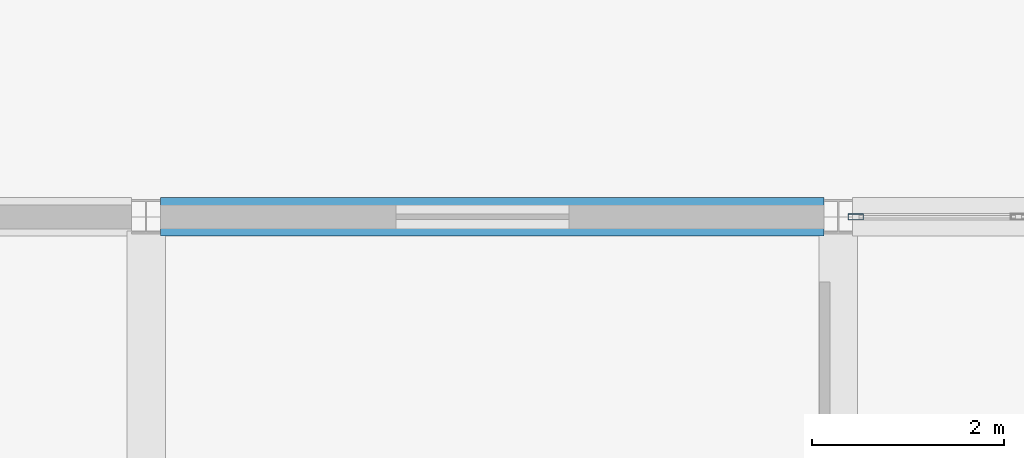
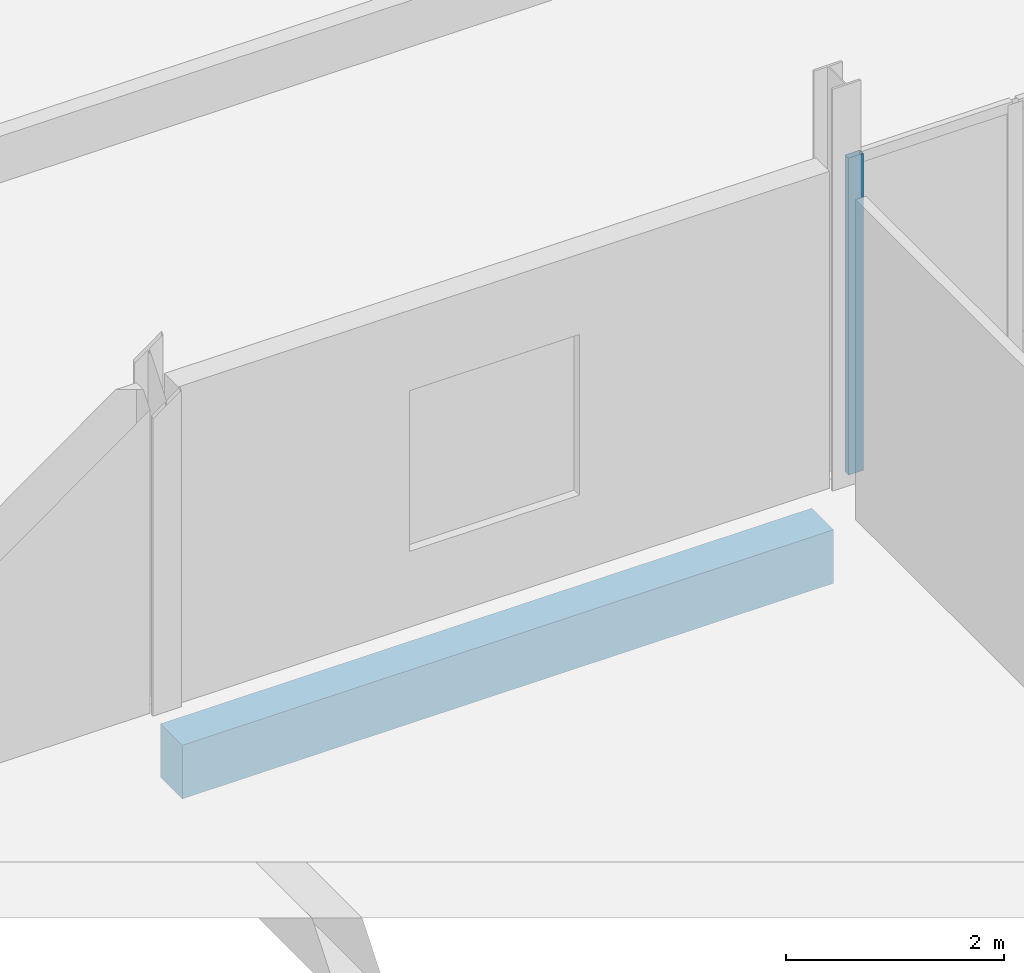
# One storey, part 88 of 139: 1 beam, 1 member, 1 element without a shape of its own.
"""IFC4 building model written with IfcOpenShell, lengths in metres."""

from ifc_helpers import new_model, si_unit, direction, frame, origin, origin_2d, place, context, subcontext, project, spatial, rectangle, hollow_rectangle, extrude, material, material_profile, profile_set, type_object, element, aggregate, save


model = new_model("IFC4")

# Units and contexts
model_context = context("Model", 3, precision=1e-05, world=origin(), true_north=direction((0.0, 1.0)))
body_context = subcontext(model_context, "Body", "Model", "MODEL_VIEW")
ifc_project = project(units=[si_unit("LENGTHUNIT", "METRE"), si_unit("AREAUNIT", "SQUARE_METRE"), si_unit("VOLUMEUNIT", "CUBIC_METRE"), si_unit("PLANEANGLEUNIT", "RADIAN"), si_unit("MASSUNIT", "GRAM", prefix="KILO")], contexts=[model_context])

# Site, building, storey
site_placement = place(None, origin())
site = spatial("IfcSite", under=ifc_project, at=site_placement, CompositionType="ELEMENT")
building_placement = place(site_placement, origin())
building = spatial("IfcBuilding", under=site, at=building_placement, Name="Suanplinth Sawtooth Commons", CompositionType="ELEMENT")
storey_placement = place(building_placement, origin())
storey = spatial("IfcBuildingStorey", under=building, at=storey_placement, Name="L00", CompositionType="ELEMENT", Elevation=0.0)

# Beam
ifc_material_1 = material(Name="Precast concrete C40/50", Category="concrete")
ifc_material_profile_1 = material_profile(ifc_material_1, rectangle(XDim=0.39990234375, YDim=0.60009765625, at=origin_2d()), Name="PC-GDR 400x600")
ifc_profile_set_1 = profile_set([ifc_material_profile_1], Name="Precast concrete C40/50")
beam_type = type_object("IfcBeamType", Name="B-05", PredefinedType="USERDEFINED", material=ifc_profile_set_1)
beam_placement = place(storey_placement, frame((151.35009765625, 72.0, -0.719970703125), z_axis=(1.0, 0.0, 0.0), x_axis=(0.0, 1.0, 0.0)))
element("IfcBeam", 1, at=beam_placement, inside=storey, type_object=beam_type, Name="BMX-L00-NURS-21-10", ObjectType="GIRDER", PredefinedType="USERDEFINED", context=body_context, shape_type="SweptSolid", body=[
    extrude(rectangle(XDim=0.39990234375, YDim=0.60009765625, at=origin_2d()), origin(), (0.0, 0.0, 1.0), 6.89990234375),
])

# Curtain wall, member
ifc_material_2 = material(Name="Anodized aluminium and low-E glazing", Category="aluminium")
curtain_wall_type = type_object("IfcCurtainWallType", Name="CW-02", PredefinedType="USERDEFINED", material=ifc_material_2)
curtain_wall_placement = place(storey_placement, origin())
curtain_wall = element("IfcCurtainWall", 2, at=curtain_wall_placement, inside=storey, type_object=curtain_wall_type, Name="Curtain Wall CW-L00-NURS-N-22", ObjectType="CURTAIN WALL", PredefinedType="USERDEFINED")
ifc_material_3 = material(Name="Anodized aluminium 6063-T6", Category="aluminium")
ifc_material_profile_2 = material_profile(ifc_material_3, hollow_rectangle(XDim=0.06494140625, YDim=0.159912109375, WallThickness=0.00390625, at=origin_2d()), Name="ALU-MUL 65x160")
ifc_profile_set_2 = profile_set([ifc_material_profile_2], Name="Anodized aluminium 6063-T6")
member_type = type_object("IfcMemberType", Name="M-13", PredefinedType="MULLION", material=ifc_profile_set_2)
member_placement = place(storey_placement, frame((158.58251953125, 72.0, 0.0), z_axis=(0.0, 0.0, 1.0), x_axis=(0.0, 1.0, 0.0)))
member = element("IfcMember", 3, at=member_placement, type_object=member_type, Name="CW-02 mullion 1", PredefinedType="MULLION", context=body_context, shape_type="SweptSolid", body=[
    extrude(hollow_rectangle(XDim=0.06494140625, YDim=0.159912109375, WallThickness=0.00390625, at=origin_2d()), origin(), (0.0, 0.0, 1.0), 3.550048828125),
])
aggregate(curtain_wall, [member])

save(model, "model.ifc")
